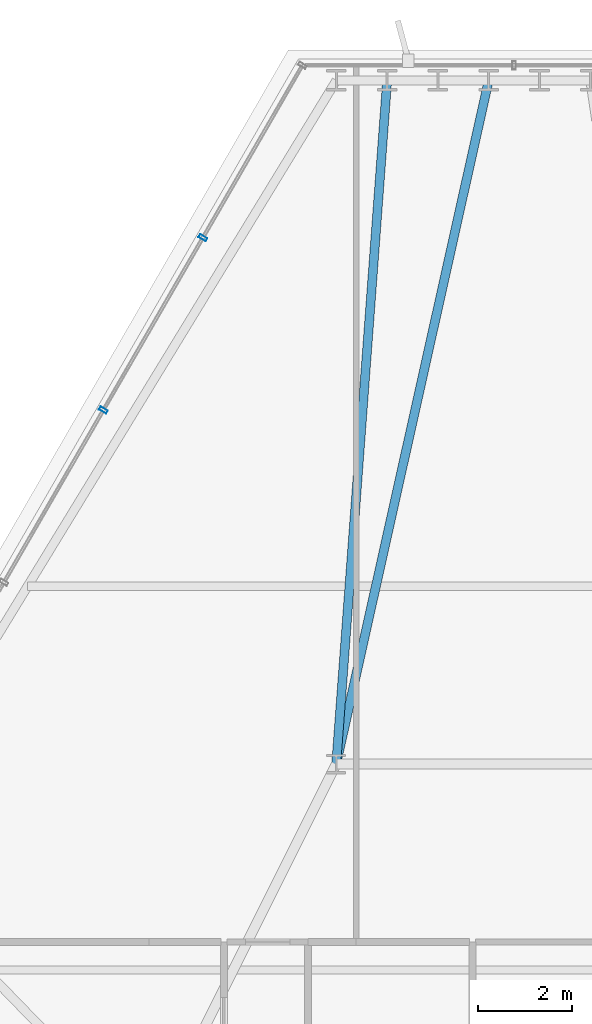
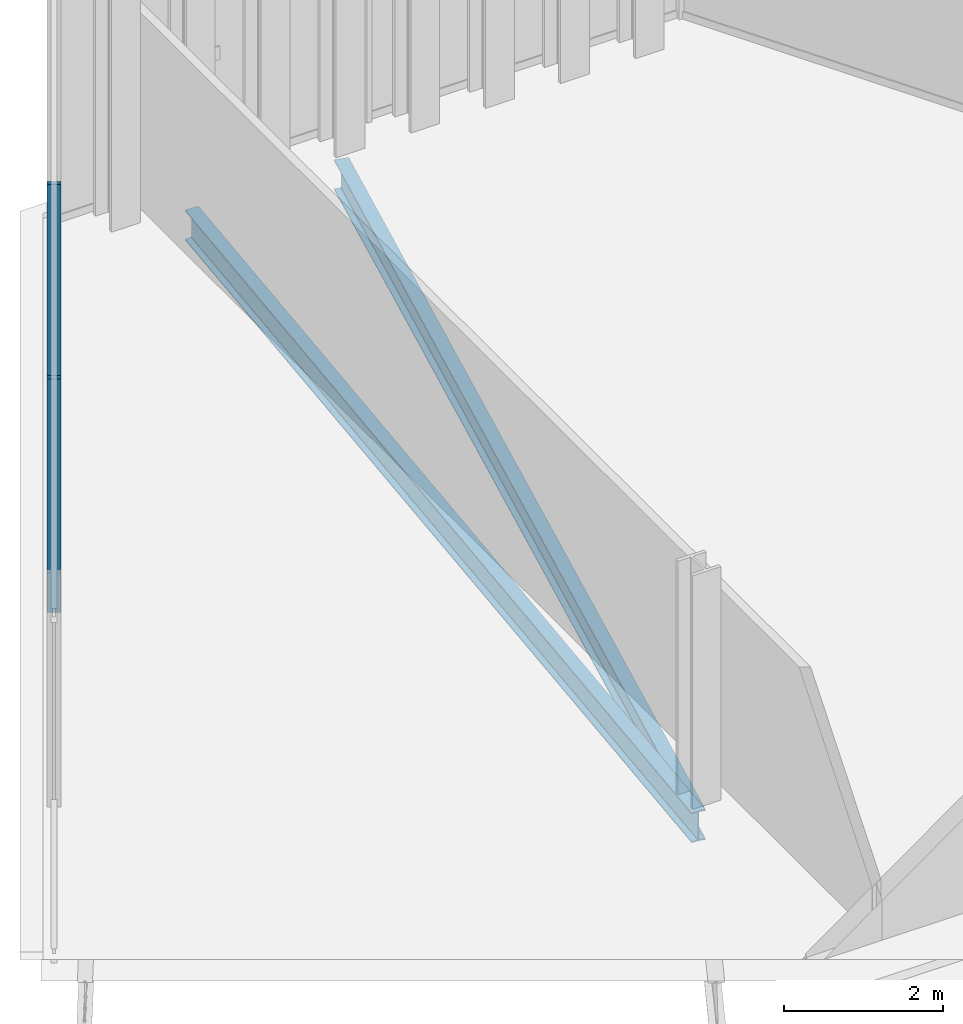
# One storey, part 21 of 34: 2 beams, 2 members, 1 element without a shape of its own.
"""IFC4 building model written with IfcOpenShell, lengths in metres."""

import ifcopenshell
import ifcopenshell.guid

model = None  # the IFC model being written
_history = None  # IfcOwnerHistory: only IFC2X3 demands one
_inside = {}  # id of a spatial element -> (the spatial element, [elements in it])
_under = {}  # id of a project, library or spatial element -> (it, [spatial elements below it])
_declared = {}  # id of a project -> (the project, [libraries it declares])
_typed = {}  # id of a type object -> (the type object, [elements of that type])
_made_of = {}  # id of a material, layer set ... -> (it, [elements and type objects made of it])


def new_model(schema):
    """Start an empty IFC model of exactly this schema.

    Asked for "IFC4X3", IfcOpenShell would pick the latest addendum, in which some entities
    have other attributes; the version numbers below select the first issue.
    IFC2X3 requires an IfcOwnerHistory on every rooted entity: one is made here for all.
    """
    global model, _history
    if schema == "IFC4X3":
        model = ifcopenshell.file(schema_version=(4, 3, 0, 0))
    else:
        model = ifcopenshell.file(schema=schema)
    _inside.clear()
    _under.clear()
    _declared.clear()
    _typed.clear()
    _made_of.clear()
    _history = None
    if model.schema == "IFC2X3":
        org = make("IfcOrganization", Name="unknown")
        user = make(
            "IfcPersonAndOrganization",
            ThePerson=make("IfcPerson", FamilyName="unknown"),
            TheOrganization=org,
        )
        app = make(
            "IfcApplication",
            ApplicationDeveloper=org,
            Version="unknown",
            ApplicationFullName="unknown",
            ApplicationIdentifier="unknown",
        )
        _history = make(
            "IfcOwnerHistory",
            OwningUser=user,
            OwningApplication=app,
            ChangeAction="ADDED",
            CreationDate=0,
        )
    return model


def make(cls, **values):
    """One entity of the class cls with the attributes given. An attribute that is None is left unset."""
    return model.create_entity(
        cls, **{name: value for name, value in values.items() if value is not None}
    )


def rooted(cls, **values):
    """An entity with a GlobalId (a new one), such as an element, a storey or a relation."""
    return make(cls, GlobalId=ifcopenshell.guid.new(), OwnerHistory=_history, **values)


def si_unit(unit_type, name, prefix=None):
    """IfcSIUnit, for example si_unit("LENGTHUNIT", "METRE", prefix="MILLI")."""
    return make("IfcSIUnit", UnitType=unit_type, Prefix=prefix, Name=name)


def assignment(units):
    """IfcUnitAssignment: the units of a project."""
    return None if units is None else make("IfcUnitAssignment", Units=units)


def point(xyz):
    """IfcCartesianPoint."""
    return None if xyz is None else make("IfcCartesianPoint", Coordinates=xyz)


def direction(xyz):
    """IfcDirection."""
    return None if xyz is None else make("IfcDirection", DirectionRatios=xyz)


def frame(location, z_axis=None, x_axis=None):
    """IfcAxis2Placement3D, a coordinate frame: its origin and axes. An axis left out is left unset."""
    return make(
        "IfcAxis2Placement3D",
        Location=point(location),
        Axis=direction(z_axis),
        RefDirection=direction(x_axis),
    )


def frame_2d(location, x_axis=None):
    """IfcAxis2Placement2D, a coordinate frame in the plane: its origin and x axis."""
    return make(
        "IfcAxis2Placement2D", Location=point(location), RefDirection=direction(x_axis)
    )


def origin():
    """The frame at (0, 0, 0) with its axes left unset."""
    return frame((0.0, 0.0, 0.0))


def origin_2d():
    """The frame at (0, 0) in the plane with its x axis left unset."""
    return frame_2d((0.0, 0.0))


def place(relative_to, where):
    """IfcLocalPlacement: puts the frame where relative to a parent placement (None: the world)."""
    return make(
        "IfcLocalPlacement", PlacementRelTo=relative_to, RelativePlacement=where
    )


def context(
    kind, dimensions, precision=None, world=None, true_north=None, identifier=None
):
    """IfcGeometricRepresentationContext, for example the 3D "Model" context."""
    return make(
        "IfcGeometricRepresentationContext",
        ContextIdentifier=identifier,
        ContextType=kind,
        CoordinateSpaceDimension=dimensions,
        Precision=precision,
        WorldCoordinateSystem=world,
        TrueNorth=true_north,
    )


def subcontext(parent, identifier, kind, view, scale=None):
    """IfcGeometricRepresentationSubContext, for example "Body" below "Model"."""
    return make(
        "IfcGeometricRepresentationSubContext",
        ContextIdentifier=identifier,
        ContextType=kind,
        ParentContext=parent,
        TargetScale=scale,
        TargetView=view,
    )


def project(units=None, contexts=None):
    """IfcProject with its units and contexts."""
    return rooted(
        "IfcProject",
        Name="project",
        RepresentationContexts=contexts,
        UnitsInContext=assignment(units),
    )


def spatial(cls, under=None, at=None, **own):
    """A site, building, storey or space (cls), placed at a placement, below another one or the project."""
    s = rooted(cls, ObjectPlacement=at, **own)
    if under is not None:
        _under.setdefault(under.id(), (under, []))[1].append(s)
    return s


def profile(cls, at=None, kind="AREA", **sizes):
    """A parametric profile (cls). Its sizes go by their IFC names, for example OverallWidth=200.0."""
    return make(cls, ProfileType=kind, Position=at, **sizes)


def hollow_rectangle(**sizes):
    """IfcRectangleHollowProfileDef."""
    return profile("IfcRectangleHollowProfileDef", **sizes)


def i_section(**sizes):
    """IfcIShapeProfileDef."""
    return profile("IfcIShapeProfileDef", **sizes)


def extrude(swept, where, along, depth):
    """IfcExtrudedAreaSolid: the profile swept, set in the frame where, extruded along a direction by depth."""
    return make(
        "IfcExtrudedAreaSolid",
        SweptArea=swept,
        Position=where,
        ExtrudedDirection=direction(along),
        Depth=depth,
    )


def shape(context_of_items, identifier, shape_type, items):
    """IfcShapeRepresentation: the items that make up one representation, for example the "Body"."""
    return make(
        "IfcShapeRepresentation",
        ContextOfItems=context_of_items,
        RepresentationIdentifier=identifier,
        RepresentationType=shape_type,
        Items=items,
    )


def material(Name=None, Category=None):
    """IfcMaterial."""
    return make("IfcMaterial", Name=Name, Category=Category)


def layer(
    of_material, thickness, ventilated=None, Name=None, Category=None, Priority=None
):
    """IfcMaterialLayer: one layer of a wall or slab, of a material (None: an air gap)."""
    return make(
        "IfcMaterialLayer",
        Material=of_material,
        LayerThickness=thickness,
        IsVentilated=ventilated,
        Name=Name,
        Category=Category,
        Priority=Priority,
    )


def layer_set(layers, Name=None):
    """IfcMaterialLayerSet."""
    return make("IfcMaterialLayerSet", MaterialLayers=layers, LayerSetName=Name)


def material_profile(
    of_material, cross_section, Name=None, Category=None, Priority=None
):
    """IfcMaterialProfile: a cross section and its material."""
    return make(
        "IfcMaterialProfile",
        Name=Name,
        Material=of_material,
        Profile=cross_section,
        Priority=Priority,
        Category=Category,
    )


def profile_set(profiles, Name=None, composite=None):
    """IfcMaterialProfileSet."""
    return make(
        "IfcMaterialProfileSet",
        Name=Name,
        MaterialProfiles=profiles,
        CompositeProfile=composite,
    )


def made_of(thing, what):
    """Note that an element or type object is made of a material, layer set ...; save() writes the relation."""
    if what is not None:
        _made_of.setdefault(what.id(), (what, []))[1].append(thing)
    return thing


def type_object(cls, material=None, **own):
    """A type object (cls), such as IfcWallType, which elements share."""
    return made_of(rooted(cls, **own), material)


def element(
    cls,
    number,
    at=None,
    inside=None,
    cuts=None,
    type_object=None,
    material=None,
    context=None,
    identifier="Body",
    shape_type=None,
    held_by="IfcProductDefinitionShape",
    body=None,
    shapes=None,
    **own,
):
    """One element of the class cls, such as IfcWall. Its Tag is "e" and its number.

    at: its placement. inside: the storey or other place that contains it. cuts: it is an
    opening in that element (IfcRelVoidsElement). A single representation is given by context,
    identifier, shape_type and body (its items); several are given by shapes. held_by: the class
    of the entity that holds the representations. save() writes the other relations.
    """
    e = rooted(cls, Tag="e%d" % number, ObjectPlacement=at, **own)
    if body is not None:
        shapes = [shape(context, identifier, shape_type, body)]
    if shapes is not None:
        e.Representation = make(held_by, Representations=shapes)
    if inside is not None:
        _inside.setdefault(inside.id(), (inside, []))[1].append(e)
    if cuts is not None:
        rooted(
            "IfcRelVoidsElement", RelatingBuildingElement=cuts, RelatedOpeningElement=e
        )
    if type_object is not None:
        _typed.setdefault(type_object.id(), (type_object, []))[1].append(e)
    return made_of(e, material)


def aggregate(whole, parts):
    """IfcRelAggregates: a whole, such as a stair, and the parts it consists of."""
    return rooted("IfcRelAggregates", RelatingObject=whole, RelatedObjects=parts)


def save(model, path):
    """Write the relations noted so far, then the file.

    IfcRelAggregates (storeys below a building ...), IfcRelContainedInSpatialStructure (elements
    in a storey), IfcRelDefinesByType, IfcRelAssociatesMaterial and IfcRelDeclares: one each for
    every whole, place, type object, material and project.
    """
    for whole, parts in _under.values():
        aggregate(whole, parts)
    for where, things in _inside.values():
        rooted(
            "IfcRelContainedInSpatialStructure",
            RelatedElements=things,
            RelatingStructure=where,
        )
    for kind, things in _typed.values():
        rooted("IfcRelDefinesByType", RelatedObjects=things, RelatingType=kind)
    for what, things in _made_of.values():
        rooted("IfcRelAssociatesMaterial", RelatedObjects=things, RelatingMaterial=what)
    for by, libraries in _declared.values():
        rooted("IfcRelDeclares", RelatingContext=by, RelatedDefinitions=libraries)
    model.write(path)


model = new_model("IFC4")

# Units and contexts
model_context = context("Model", 3, precision=1e-05, world=origin(), true_north=direction((0.0, 1.0)))
body_context = subcontext(model_context, "Body", "Model", "MODEL_VIEW")
ifc_project = project(units=[si_unit("LENGTHUNIT", "METRE"), si_unit("AREAUNIT", "SQUARE_METRE"), si_unit("VOLUMEUNIT", "CUBIC_METRE"), si_unit("PLANEANGLEUNIT", "RADIAN"), si_unit("MASSUNIT", "GRAM", prefix="KILO")], contexts=[model_context])

# Site, building, storey
site_placement = place(None, origin())
site = spatial("IfcSite", under=ifc_project, at=site_placement, CompositionType="ELEMENT")
building_placement = place(site_placement, origin())
building = spatial("IfcBuilding", under=site, at=building_placement, Name="Ndaravel Arena Tower", CompositionType="ELEMENT")
storey_placement = place(building_placement, frame((0.0, 0.0, 191.60009765625)))
storey = spatial("IfcBuildingStorey", under=building, at=storey_placement, Name="L46", CompositionType="ELEMENT", Elevation=191.60009765625)

# Beams
ifc_material_1 = material(Name="Steel S355", Category="steel")
ifc_material_profile_1 = material_profile(ifc_material_1, i_section(OverallWidth=0.19140625, OverallDepth=0.4599609375, WebThickness=0.010009765625, FlangeThickness=0.01611328125, FilletRadius=0.01025390625, at=origin_2d()), Name="UB 457x191x82")
ifc_profile_set_1 = profile_set([ifc_material_profile_1], Name="Steel S355")
beam_type = type_object("IfcBeamType", Name="BM-GIRD-UB457", PredefinedType="BEAM", material=ifc_profile_set_1)
beam_1_placement = place(storey_placement, frame((41.457763671875, 45.805908203125, -0.4501953125), z_axis=(-0.21769735255, -0.976016322964, 0.0), x_axis=(0.976016322964, -0.21769735255, 0.0)))
element("IfcBeam", 1, at=beam_1_placement, inside=storey, type_object=beam_type, Name="L46 Radial Floor Girder FG-15", PredefinedType="BEAM", context=body_context, shape_type="SweptSolid", body=[
    extrude(i_section(OverallWidth=0.19140625, OverallDepth=0.4599609375, WebThickness=0.010009765625, FlangeThickness=0.01611328125, FilletRadius=0.01025390625, at=origin_2d()), origin(), (0.0, 0.0, 1.0), 14.96484375),
])
beam_2_placement = place(storey_placement, frame((39.28857421875, 45.805908203125, -0.4501953125), z_axis=(-0.074326650263, -0.997233949011, 0.0), x_axis=(0.997233949011, -0.074326650263, 0.0)))
element("IfcBeam", 2, at=beam_2_placement, inside=storey, type_object=beam_type, Name="L46 Radial Floor Girder FG-17", PredefinedType="BEAM", context=body_context, shape_type="SweptSolid", body=[
    extrude(i_section(OverallWidth=0.19140625, OverallDepth=0.4599609375, WebThickness=0.010009765625, FlangeThickness=0.01611328125, FilletRadius=0.01025390625, at=origin_2d()), origin(), (0.0, 0.0, 1.0), 14.646484375),
])

# Curtain wall, members
ifc_material_2 = material(Name="Aluminium", Category="aluminium")
ifc_layer = layer(ifc_material_2, 0.179931640625)
ifc_layer_set = layer_set([ifc_layer], Name="Aluminium")
curtain_wall_type = type_object("IfcCurtainWallType", Name="CW-SYS-03", PredefinedType="NOTDEFINED", material=ifc_layer_set)
curtain_wall_placement = place(storey_placement, origin())
curtain_wall = element("IfcCurtainWall", 3, at=curtain_wall_placement, inside=storey, type_object=curtain_wall_type, Name="L46 Faceted Crystal Curtain Wall CW-L46-E05", PredefinedType="NOTDEFINED")
ifc_material_3 = material(Name="Aluminium", Category="aluminium")
ifc_material_profile_2 = material_profile(ifc_material_3, hollow_rectangle(XDim=0.074951171875, YDim=0.179931640625, WallThickness=0.00390625, at=origin_2d()), Name="CW MULLION 75x180x4")
ifc_profile_set_2 = profile_set([ifc_material_profile_2], Name="Aluminium")
member_type = type_object("IfcMemberType", Name="MEM-CW-MUL180", PredefinedType="MULLION", material=ifc_profile_set_2)
member_1_placement = place(storey_placement, frame((35.3515625, 42.444580078125, 0.0), z_axis=(0.0, 0.0, 1.0), x_axis=(-0.5, -0.866025403784, 0.0)))
member_1 = element("IfcMember", 4, at=member_1_placement, type_object=member_type, Name="CW-L46-E05 Mullion 01", PredefinedType="MULLION", context=body_context, shape_type="SweptSolid", body=[
    extrude(hollow_rectangle(XDim=0.074951171875, YDim=0.179931640625, WallThickness=0.00390625, at=origin_2d()), origin(), (0.0, 0.0, 1.0), 3.579833984375),
])
member_2_placement = place(storey_placement, frame((33.226318359375, 38.763427734375, 0.0), z_axis=(0.0, 0.0, 1.0), x_axis=(-0.5, -0.866025403784, 0.0)))
member_2 = element("IfcMember", 5, at=member_2_placement, type_object=member_type, Name="CW-L46-E05 Mullion 02", PredefinedType="MULLION", context=body_context, shape_type="SweptSolid", body=[
    extrude(hollow_rectangle(XDim=0.074951171875, YDim=0.179931640625, WallThickness=0.00390625, at=origin_2d()), origin(), (0.0, 0.0, 1.0), 3.579833984375),
])
aggregate(curtain_wall, [member_1, member_2])

save(model, "model.ifc")
